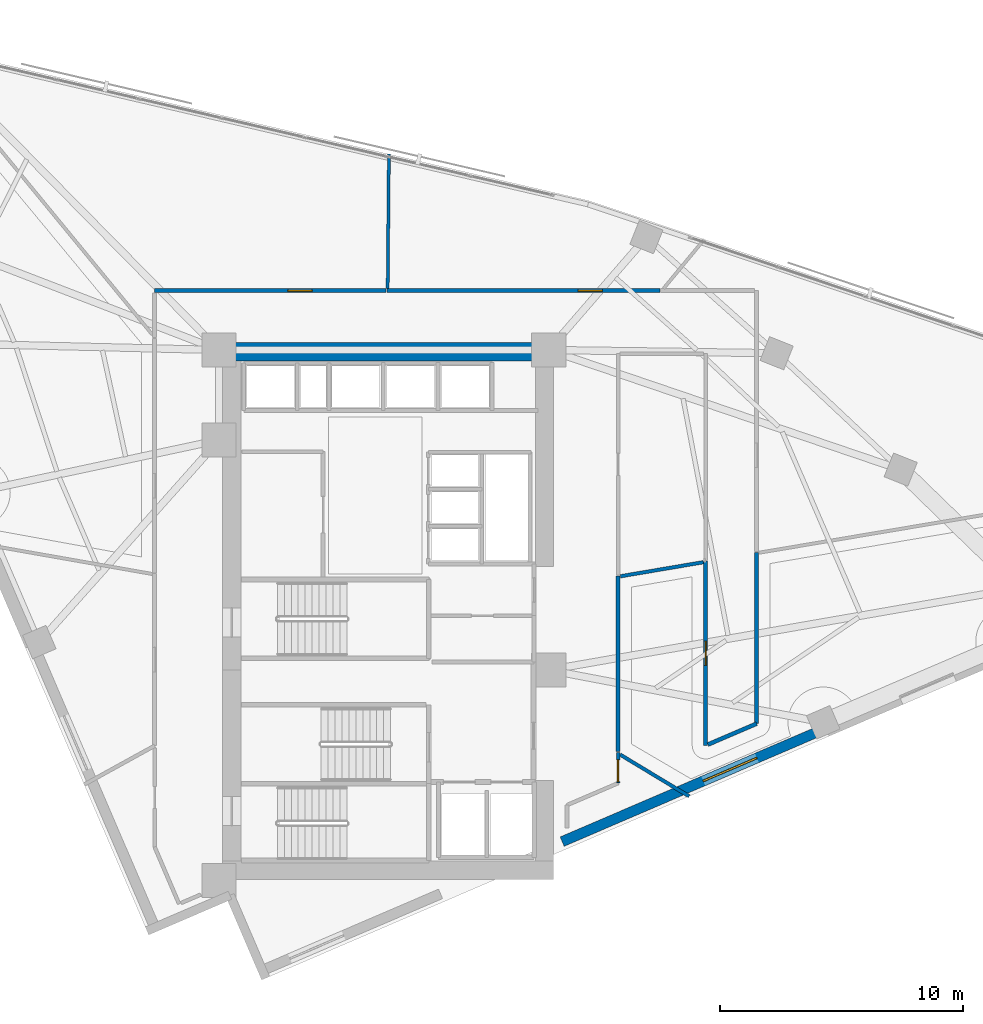
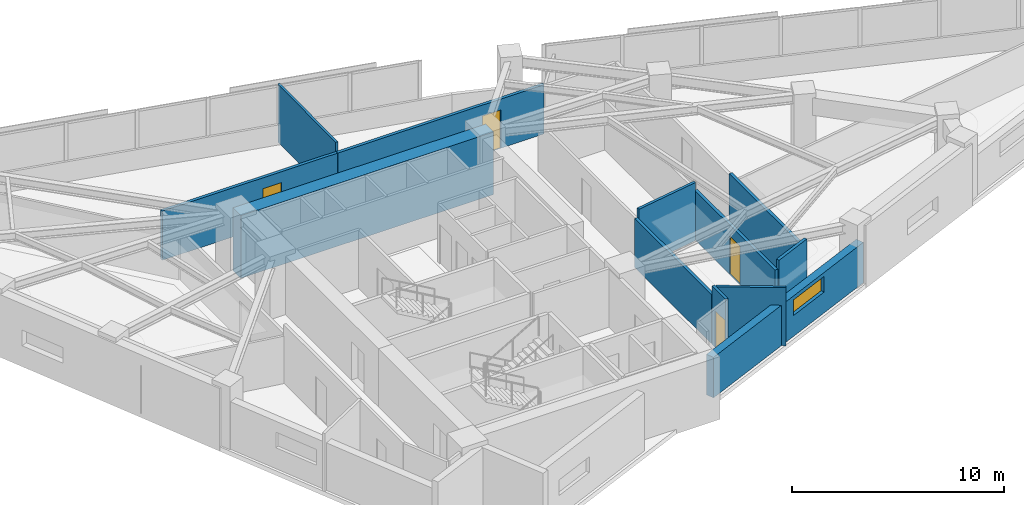
# One storey, part 10 of 14: 12 walls, 4 doors, 1 window, 5 openings.
"""IFC4 building model written with IfcOpenShell, lengths in metres."""

from ifc_helpers import new_model, si_unit, direction, frame, frame_2d, origin, place, context, subcontext, project, spatial, rectangle, extrude, material, layer, layer_set, type_object, element, fill, save


model = new_model("IFC4")

# Units and contexts
model_context = context("Model", 3, precision=1e-05, world=origin(), true_north=direction((0.0, 1.0)))
body_context = subcontext(model_context, "Body", "Model", "MODEL_VIEW")
ifc_project = project(units=[si_unit("LENGTHUNIT", "METRE"), si_unit("AREAUNIT", "SQUARE_METRE"), si_unit("VOLUMEUNIT", "CUBIC_METRE"), si_unit("PLANEANGLEUNIT", "RADIAN"), si_unit("MASSUNIT", "GRAM", prefix="KILO")], contexts=[model_context])

# Site, building, storey
site_placement = place(None, origin())
site = spatial("IfcSite", under=ifc_project, at=site_placement, CompositionType="ELEMENT")
building_placement = place(site_placement, origin())
building = spatial("IfcBuilding", under=site, at=building_placement, Name="Narakoshi Arena Tower", CompositionType="ELEMENT")
storey_placement = place(building_placement, frame((0.0, 0.0, 168.300048828125)))
storey = spatial("IfcBuildingStorey", under=building, at=storey_placement, Name="L45", CompositionType="ELEMENT", Elevation=168.300048828125)

# Wall
ifc_material_1 = material(Name="Concrete C50/60", Category="concrete")
ifc_layer_1 = layer(ifc_material_1, 0.75)
ifc_layer_set_1 = layer_set([ifc_layer_1], Name="Concrete C50/60")
wall_type_1 = type_object("IfcWallType", Name="WL-CORE-750", PredefinedType="SHEAR", material=ifc_layer_set_1)
wall_1_placement = place(storey_placement, frame((72.0, 56.425048828125, -0.260009765625), z_axis=(0.0, 0.0, 1.0), x_axis=(1.0, 0.0, 0.0)))
element("IfcWall", 1, at=wall_1_placement, inside=storey, type_object=wall_type_1, Name="L45 Main Core Shear Wall CW-MN-N", PredefinedType="SHEAR", context=body_context, shape_type="SweptSolid", body=[
    extrude(rectangle(XDim=13.75, YDim=0.75, at=frame_2d((6.875, 0.0))), origin(), (0.0, 0.0, 1.0), 3.599853515625),
])

# Wall, opening, door
ifc_material_2 = material(Name="Gypsum plasterboard fire-rated partition")
ifc_layer_2 = layer(ifc_material_2, 0.1650390625)
ifc_layer_set_2 = layer_set([ifc_layer_2], Name="Gypsum plasterboard fire-rated partition")
wall_type_2 = type_object("IfcWallType", Name="WL-CORR-165", PredefinedType="PARTITIONING", material=ifc_layer_set_2)
wall_2_placement = place(storey_placement, frame((91.996337890625, 47.831787109375, 0.0), z_axis=(0.0, 0.0, 1.0), x_axis=(0.0, -1.0, 0.0)))
wall_2 = element("IfcWall", 2, at=wall_2_placement, inside=storey, type_object=wall_type_2, Name="L45 Corridor Partition 04-1", PredefinedType="PARTITIONING", context=body_context, shape_type="SweptSolid", body=[
    extrude(rectangle(XDim=7.58740234375, YDim=0.1650390625, at=frame_2d((3.793701171875, 0.0))), origin(), (0.0, 0.0, 1.0), 2.824951171875),
])
opening_1_placement = place(wall_2_placement, frame((3.293701171875, 0.0, 0.0)))
opening_1 = element("IfcOpeningElement", 3, at=opening_1_placement, cuts=wall_2, Name="Opening D-06", PredefinedType="OPENING", context=body_context, shape_type="SweptSolid", body=[
    extrude(rectangle(XDim=1.0, YDim=2.199951171875, at=frame_2d((0.5, 1.10009765625))), frame((0.0, 0.092529296875, 0.0), z_axis=(0.0, -1.0, 0.0), x_axis=(1.0, 0.0, 0.0)), (0.0, 0.0, 1.0), 0.18505859375),
])
ifc_material_3 = material(Name="Stained oak solid-core timber", Category="wood")
door_type_1 = type_object("IfcDoorType", Name="DR-OFF-1000", OperationType="NOTDEFINED", PredefinedType="DOOR", material=ifc_material_3)
door_1_placement = place(opening_1_placement, frame((1.0, 0.0, 0.0), z_axis=(0.0, 0.0, 1.0), x_axis=(-1.0, 0.0, 0.0)))
door_1 = element("IfcDoor", 4, at=door_1_placement, inside=storey, type_object=door_type_1, Name="DR-L45-016", OperationType="SINGLE_SWING_RIGHT", OverallHeight=2.199951171875, OverallWidth=1.0, PredefinedType="DOOR", context=body_context, shape_type="SweptSolid", body=[
    extrude(rectangle(XDim=1.0, YDim=2.199951171875, at=frame_2d((0.5, 1.10009765625))), frame((0.0, 0.02490234375, 0.0), z_axis=(0.0, -1.0, 0.0), x_axis=(1.0, 0.0, 0.0)), (0.0, 0.0, 1.0), 0.050048828125),
])
fill(opening_1, door_1)

# Walls
wall_3_placement = place(storey_placement, frame((88.39990234375, 39.992919921875, 0.0), z_axis=(0.0, 0.0, 1.0), x_axis=(0.0, 1.0, 0.0)))
element("IfcWall", 5, at=wall_3_placement, inside=storey, type_object=wall_type_2, Name="L45 Corridor Partition 04-2", PredefinedType="PARTITIONING", context=body_context, shape_type="SweptSolid", body=[
    extrude(rectangle(XDim=7.227294921875, YDim=0.1650390625, at=frame_2d((3.61376953125, 0.0))), origin(), (0.0, 0.0, 1.0), 2.824951171875),
])
wall_4_placement = place(storey_placement, frame((94.09619140625, 41.146484375, 0.0), z_axis=(0.0, 0.0, 1.0), x_axis=(0.0, 1.0, 0.0)))
element("IfcWall", 6, at=wall_4_placement, inside=storey, type_object=wall_type_2, Name="L45 Corridor Partition 04-3", PredefinedType="PARTITIONING", context=body_context, shape_type="SweptSolid", body=[
    extrude(rectangle(XDim=7.042236328125, YDim=0.1650390625, at=frame_2d((3.52099609375, 0.0))), origin(), (0.0, 0.0, 1.0), 2.824951171875),
])
wall_5_placement = place(storey_placement, frame((92.0908203125, 40.284912109375, 0.0), z_axis=(0.0, 0.0, 1.0), x_axis=(0.918791733635, 0.394742637935, 0.0)))
element("IfcWall", 7, at=wall_5_placement, inside=storey, type_object=wall_type_2, Name="L45 Corridor Partition 04-4", PredefinedType="PARTITIONING", context=body_context, shape_type="SweptSolid", body=[
    extrude(rectangle(XDim=2.1826171875, YDim=0.1650390625, at=frame_2d((1.09130859375, 0.0))), origin(), (0.0, 0.0, 1.0), 3.33984375),
])

# Wall, opening, door
wall_6_placement = place(storey_placement, frame((90.114990234375, 58.93701171875, 0.0), z_axis=(0.0, 0.0, 1.0), x_axis=(-1.0, 0.0, 0.0)))
wall_6 = element("IfcWall", 8, at=wall_6_placement, inside=storey, type_object=wall_type_2, Name="L45 Corridor Partition 07-1", PredefinedType="PARTITIONING", context=body_context, shape_type="SweptSolid", body=[
    extrude(rectangle(XDim=11.221435546875, YDim=0.1650390625, at=frame_2d((5.61083984375, 0.0))), origin(), (0.0, 0.0, 1.0), 2.824951171875),
])
opening_2_placement = place(wall_6_placement, frame((2.360595703125, 0.0, 0.0)))
opening_2 = element("IfcOpeningElement", 9, at=opening_2_placement, cuts=wall_6, Name="Opening D-06", PredefinedType="OPENING", context=body_context, shape_type="SweptSolid", body=[
    extrude(rectangle(XDim=1.0, YDim=2.199951171875, at=frame_2d((0.5, 1.10009765625))), frame((0.0, 0.092529296875, 0.0), z_axis=(0.0, -1.0, 0.0), x_axis=(1.0, 0.0, 0.0)), (0.0, 0.0, 1.0), 0.18505859375),
])
door_2_placement = place(opening_2_placement, frame((1.0, 0.0, 0.0), z_axis=(0.0, 0.0, 1.0), x_axis=(-1.0, 0.0, 0.0)))
door_2 = element("IfcDoor", 10, at=door_2_placement, inside=storey, type_object=door_type_1, Name="DR-L45-019", OperationType="SINGLE_SWING_LEFT", OverallHeight=2.199951171875, OverallWidth=1.0, PredefinedType="DOOR", context=body_context, shape_type="SweptSolid", body=[
    extrude(rectangle(XDim=1.0, YDim=2.199951171875, at=frame_2d((0.5, 1.10009765625))), frame((0.0, 0.02490234375, 0.0), z_axis=(0.0, -1.0, 0.0), x_axis=(1.0, 0.0, 0.0)), (0.0, 0.0, 1.0), 0.050048828125),
])
fill(opening_2, door_2)

wall_7_placement = place(storey_placement, frame((78.869384765625, 58.93701171875, 0.0), z_axis=(0.0, 0.0, 1.0), x_axis=(-1.0, 0.0, 0.0)))
wall_7 = element("IfcWall", 11, at=wall_7_placement, inside=storey, type_object=wall_type_2, Name="L45 Corridor Partition 08-1", PredefinedType="PARTITIONING", context=body_context, shape_type="SweptSolid", body=[
    extrude(rectangle(XDim=9.515625, YDim=0.1650390625, at=frame_2d((4.7578125, 0.0))), origin(), (0.0, 0.0, 1.0), 2.824951171875),
])
opening_3_placement = place(wall_7_placement, frame((3.04052734375, 0.0, 0.0)))
opening_3 = element("IfcOpeningElement", 12, at=opening_3_placement, cuts=wall_7, Name="Opening D-06", PredefinedType="OPENING", context=body_context, shape_type="SweptSolid", body=[
    extrude(rectangle(XDim=1.0, YDim=2.199951171875, at=frame_2d((0.5, 1.10009765625))), frame((0.0, 0.092529296875, 0.0), z_axis=(0.0, -1.0, 0.0), x_axis=(1.0, 0.0, 0.0)), (0.0, 0.0, 1.0), 0.18505859375),
])
door_3_placement = place(opening_3_placement, frame((1.0, 0.0, 0.0), z_axis=(0.0, 0.0, 1.0), x_axis=(-1.0, 0.0, 0.0)))
door_3 = element("IfcDoor", 13, at=door_3_placement, inside=storey, type_object=door_type_1, Name="DR-L45-020", OperationType="SINGLE_SWING_RIGHT", OverallHeight=2.199951171875, OverallWidth=1.0, PredefinedType="DOOR", context=body_context, shape_type="SweptSolid", body=[
    extrude(rectangle(XDim=1.0, YDim=2.199951171875, at=frame_2d((0.5, 1.10009765625))), frame((0.0, 0.02490234375, 0.0), z_axis=(0.0, -1.0, 0.0), x_axis=(1.0, 0.0, 0.0)), (0.0, 0.0, 1.0), 0.050048828125),
])
fill(opening_3, door_3)

# Wall
ifc_layer_3 = layer(ifc_material_2, 0.125)
ifc_layer_set_3 = layer_set([ifc_layer_3], Name="Gypsum plasterboard fire-rated partition")
wall_type_3 = type_object("IfcWallType", Name="WL-PART-125", PredefinedType="PARTITIONING", material=ifc_layer_set_3)
wall_8_placement = place(storey_placement, frame((78.930419921875, 59.031494140625, 0.0), z_axis=(0.0, 0.0, 1.0), x_axis=(0.009243711384, 0.999957275987, 0.0)))
element("IfcWall", 14, at=wall_8_placement, inside=storey, type_object=wall_type_3, Name="L45 Inter-Room Partition 07-08", PredefinedType="PARTITIONING", context=body_context, shape_type="SweptSolid", body=[
    extrude(rectangle(XDim=5.52001953125, YDim=0.125, at=frame_2d((2.760009765625, 0.0))), origin(), (0.0, 0.0, 1.0), 3.33984375),
])

# Wall, opening, window
ifc_material_4 = material(Name="Precast concrete C45/55", Category="concrete")
ifc_layer_4 = layer(ifc_material_4, 0.419921875)
ifc_layer_set_4 = layer_set([ifc_layer_4], Name="Precast concrete C45/55")
wall_type_4 = type_object("IfcWallType", Name="WL-POD-420", PredefinedType="SOLIDWALL", material=ifc_layer_set_4)
wall_9_placement = place(storey_placement, frame((86.10009765625, 36.296142578125, 0.0), z_axis=(0.0, 0.0, 1.0), x_axis=(0.918792412723, 0.394741057306, 0.0)))
wall_9 = element("IfcWall", 15, at=wall_9_placement, inside=storey, type_object=wall_type_4, Name="L45 Architectural Concrete Facade Wall LEGA-2", PredefinedType="SOLIDWALL", context=body_context, shape_type="SweptSolid", body=[
    extrude(rectangle(XDim=11.79443359375, YDim=0.419921875, at=frame_2d((5.897216796875, 0.0))), origin(), (0.0, 0.0, 1.0), 2.324951171875),
])
opening_4_placement = place(wall_9_placement, frame((6.31103515625, 0.0, 1.199951171875)))
opening_4 = element("IfcOpeningElement", 16, at=opening_4_placement, cuts=wall_9, Name="Opening WN-01", PredefinedType="OPENING", context=body_context, shape_type="SweptSolid", body=[
    extrude(rectangle(XDim=2.39990234375, YDim=0.89990234375, at=frame_2d((1.199951171875, 0.449951171875))), frame((0.0, 0.219970703125, 0.0), z_axis=(0.0, -1.0, 0.0), x_axis=(1.0, 0.0, 0.0)), (0.0, 0.0, 1.0), 0.43994140625),
])
ifc_material_5 = material(Name="Bronze-tinted low-E laminated glass", Category="glass")
window_type = type_object("IfcWindowType", Name="WIN-SLT-24x09", PartitioningType="SINGLE_PANEL", PredefinedType="WINDOW", material=ifc_material_5)
window_placement = place(opening_4_placement, origin())
window = element("IfcWindow", 17, at=window_placement, inside=storey, type_object=window_type, Name="L45 LEGA2 Horizontal Slot Window 1", OverallHeight=0.89990234375, OverallWidth=2.39990234375, PartitioningType="SINGLE_PANEL", PredefinedType="WINDOW", context=body_context, shape_type="SweptSolid", body=[
    extrude(rectangle(XDim=2.39990234375, YDim=0.89990234375, at=frame_2d((1.199951171875, 0.449951171875))), frame((0.0, 0.030029296875, 0.0), z_axis=(0.0, -1.0, 0.0), x_axis=(1.0, 0.0, 0.0)), (0.0, 0.0, 1.0), 0.06005859375),
])
fill(opening_4, window)

# Wall, opening, door
ifc_material_6 = material(Name="Moisture-resistant cement-board partition")
ifc_layer_5 = layer(ifc_material_6, 0.14501953125)
ifc_layer_set_5 = layer_set([ifc_layer_5], Name="Moisture-resistant cement-board partition")
wall_type_5 = type_object("IfcWallType", Name="WL-WET-145", PredefinedType="PARTITIONING", material=ifc_layer_set_5)
wall_10_placement = place(storey_placement, frame((88.39990234375, 38.69921875, 0.0), z_axis=(0.0, 0.0, 1.0), x_axis=(0.0, 1.0, 0.0)))
wall_10 = element("IfcWall", 18, at=wall_10_placement, inside=storey, type_object=wall_type_5, Name="L45 Corridor Partition 03-2", PredefinedType="PARTITIONING", context=body_context, shape_type="SweptSolid", body=[
    extrude(rectangle(XDim=1.265869140625, YDim=0.14501953125, at=frame_2d((0.6328125, 0.0))), origin(), (0.0, 0.0, 1.0), 3.33984375),
])
opening_5_placement = place(wall_10_placement, frame((0.06005859375, 0.0, 0.0)))
opening_5 = element("IfcOpeningElement", 19, at=opening_5_placement, cuts=wall_10, Name="Opening D-08", PredefinedType="OPENING", context=body_context, shape_type="SweptSolid", body=[
    extrude(rectangle(XDim=0.89990234375, YDim=2.10009765625, at=frame_2d((0.449951171875, 1.050048828125))), frame((0.0, 0.08251953125, 0.0), z_axis=(0.0, -1.0, 0.0), x_axis=(1.0, 0.0, 0.0)), (0.0, 0.0, 1.0), 0.1650390625),
])
ifc_material_7 = material(Name="Moisture-resistant laminate timber", Category="wood")
door_type_2 = type_object("IfcDoorType", Name="DR-WC-900", OperationType="NOTDEFINED", PredefinedType="DOOR", material=ifc_material_7)
door_4_placement = place(opening_5_placement, frame((0.89990234375, 0.0, 0.0), z_axis=(0.0, 0.0, 1.0), x_axis=(-1.0, 0.0, 0.0)))
door_4 = element("IfcDoor", 20, at=door_4_placement, inside=storey, type_object=door_type_2, Name="DR-L45-015", OperationType="SINGLE_SWING_LEFT", OverallHeight=2.10009765625, OverallWidth=0.89990234375, PredefinedType="DOOR", context=body_context, shape_type="SweptSolid", body=[
    extrude(rectangle(XDim=0.89990234375, YDim=2.10009765625, at=frame_2d((0.449951171875, 1.050048828125))), frame((0.0, 0.02490234375, 0.0), z_axis=(0.0, -1.0, 0.0), x_axis=(1.0, 0.0, 0.0)), (0.0, 0.0, 1.0), 0.050048828125),
])
fill(opening_5, door_4)

# Walls
wall_11_placement = place(storey_placement, frame((88.484619140625, 39.872314453125, 0.0), z_axis=(0.0, 0.0, 1.0), x_axis=(0.855817698331, -0.517277553373, 0.0)))
element("IfcWall", 21, at=wall_11_placement, inside=storey, type_object=wall_type_5, Name="L45 Inter-Room Partition 03-04", PredefinedType="PARTITIONING", context=body_context, shape_type="SweptSolid", body=[
    extrude(rectangle(XDim=3.313720703125, YDim=0.14501953125, at=frame_2d((1.65673828125, 0.0))), origin(), (0.0, 0.0, 1.0), 3.33984375),
])
wall_12_placement = place(storey_placement, frame((88.494384765625, 47.20068359375, 0.0), z_axis=(0.0, 0.0, 1.0), x_axis=(0.985898880902, 0.167342154393, 0.0)))
element("IfcWall", 22, at=wall_12_placement, inside=storey, type_object=wall_type_5, Name="L45 Inter-Room Partition 04-06", PredefinedType="PARTITIONING", context=body_context, shape_type="SweptSolid", body=[
    extrude(rectangle(XDim=3.456298828125, YDim=0.14501953125, at=frame_2d((1.72802734375, 0.0))), origin(), (0.0, 0.0, 1.0), 3.33984375),
])

save(model, "model.ifc")
